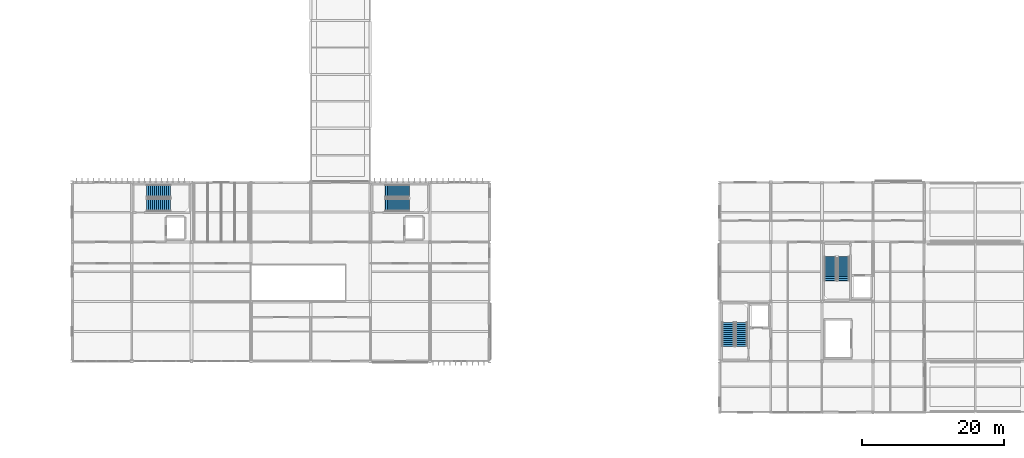
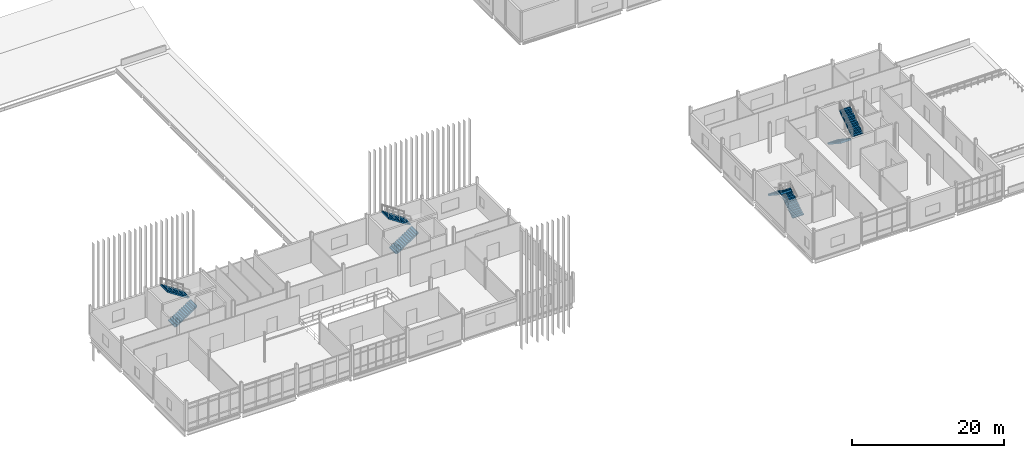
# One storey, part 55 of 72: 8 stair flights, 4 elements without a shape of their own.
"""IFC4 building model written with IfcOpenShell, lengths in metres."""

from ifc_helpers import new_model, si_unit, direction, frame, origin, place, context, subcontext, project, spatial, polyline, outline, extrude, material, type_object, element, aggregate, save


model = new_model("IFC4")

# Units and contexts
model_context = context("Model", 3, precision=1e-05, world=origin(), true_north=direction((0.0, 1.0)))
body_context = subcontext(model_context, "Body", "Model", "MODEL_VIEW")
ifc_project = project(units=[si_unit("LENGTHUNIT", "METRE"), si_unit("AREAUNIT", "SQUARE_METRE"), si_unit("VOLUMEUNIT", "CUBIC_METRE"), si_unit("PLANEANGLEUNIT", "RADIAN"), si_unit("MASSUNIT", "GRAM", prefix="KILO")], contexts=[model_context])

# Site, building, storey
site_placement = place(None, origin())
site = spatial("IfcSite", under=ifc_project, at=site_placement, CompositionType="ELEMENT")
building_placement = place(site_placement, origin())
building = spatial("IfcBuilding", under=site, at=building_placement, Name="Calvrana Isthmian Art Gallery", CompositionType="ELEMENT")
storey_placement = place(building_placement, frame((0.0, 0.0, 15.0)))
storey = spatial("IfcBuildingStorey", under=building, at=storey_placement, Name="L03", CompositionType="ELEMENT", Elevation=15.0)

# Stair, stair flights
ifc_material = material(Name="Concrete C40/50", Category="concrete")
stair_type_1 = type_object("IfcStairType", Name="STR-HT-480", PredefinedType="HALF_TURN_STAIR", material=ifc_material)
stair_1_placement = place(storey_placement, origin())
stair_1 = element("IfcStair", 1, at=stair_1_placement, inside=storey, type_object=stair_type_1, Name="Protected exit stair ST-3 (L03)", PredefinedType="HALF_TURN_STAIR")
stair_flight_type_1 = type_object("IfcStairFlightType", Name="STF-1660", PredefinedType="STRAIGHT", material=ifc_material)
stair_flight_1_placement = place(storey_placement, frame((115.860107421875, 23.699951171875, 0.0), z_axis=(0.0, 0.0, 1.0), x_axis=(0.0, 1.0, 0.0)))
stair_flight_1 = element("IfcStairFlight", 2, at=stair_flight_1_placement, type_object=stair_flight_type_1, Name="ST-3 flight 1", NumberOfRisers=13, NumberOfTreads=12, PredefinedType="STRAIGHT", RiserHeight=0.184615385, TreadLength=0.28, context=body_context, shape_type="SweptSolid", body=[
    extrude(outline(polyline([(-0.02490234375, 0.0), (-0.02490234375, 0.06005859375), (0.0, 0.06005859375), (0.0, 0.1845703125), (0.280029296875, 0.1845703125), (0.280029296875, 0.369140625), (0.56005859375, 0.369140625), (0.56005859375, 0.553955078125), (0.840087890625, 0.553955078125), (0.840087890625, 0.738525390625), (1.1201171875, 0.738525390625), (1.1201171875, 0.923095703125), (1.39990234375, 0.923095703125), (1.39990234375, 1.107666015625), (1.679931640625, 1.107666015625), (1.679931640625, 1.292236328125), (1.9599609375, 1.292236328125), (1.9599609375, 1.476806640625), (2.239990234375, 1.476806640625), (2.239990234375, 1.66162109375), (2.52001953125, 1.66162109375), (2.52001953125, 1.84619140625), (2.800048828125, 1.84619140625), (2.800048828125, 2.03076171875), (3.080078125, 2.03076171875), (3.080078125, 2.21533203125), (3.360107421875, 2.21533203125), (3.360107421875, 2.39990234375), (3.385009765625, 2.39990234375), (3.385009765625, 2.035888671875), (3.360107421875, 2.035888671875), (0.272216796875, 0.0), (-0.02490234375, 0.0)])), frame((0.0, 0.830078125, 0.0), z_axis=(0.0, -1.0, 0.0), x_axis=(1.0, 0.0, 0.0)), (0.0, 0.0, 1.0), 1.659912109375),
])
stair_flight_2_placement = place(storey_placement, frame((114.0, 27.06005859375, 2.39990234375), z_axis=(0.0, 0.0, 1.0), x_axis=(0.0, -1.0, 0.0)))
stair_flight_2 = element("IfcStairFlight", 3, at=stair_flight_2_placement, type_object=stair_flight_type_1, Name="ST-3 flight 2", NumberOfRisers=13, NumberOfTreads=12, PredefinedType="STRAIGHT", RiserHeight=0.184615385, TreadLength=0.28, context=body_context, shape_type="SweptSolid", body=[
    extrude(outline(polyline([(-0.02490234375, 0.0), (-0.02490234375, 0.06005859375), (0.0, 0.06005859375), (0.0, 0.1845703125), (0.280029296875, 0.1845703125), (0.280029296875, 0.369140625), (0.56005859375, 0.369140625), (0.56005859375, 0.553955078125), (0.840087890625, 0.553955078125), (0.840087890625, 0.738525390625), (1.1201171875, 0.738525390625), (1.1201171875, 0.923095703125), (1.39990234375, 0.923095703125), (1.39990234375, 1.107666015625), (1.679931640625, 1.107666015625), (1.679931640625, 1.292236328125), (1.9599609375, 1.292236328125), (1.9599609375, 1.476806640625), (2.239990234375, 1.476806640625), (2.239990234375, 1.66162109375), (2.52001953125, 1.66162109375), (2.52001953125, 1.84619140625), (2.800048828125, 1.84619140625), (2.800048828125, 2.03076171875), (3.080078125, 2.03076171875), (3.080078125, 2.21533203125), (3.360107421875, 2.21533203125), (3.360107421875, 2.39990234375), (3.385009765625, 2.39990234375), (3.385009765625, 2.035888671875), (3.360107421875, 2.035888671875), (0.272216796875, 0.0), (-0.02490234375, 0.0)])), frame((0.0, 0.830078125, 0.0), z_axis=(0.0, -1.0, 0.0), x_axis=(1.0, 0.0, 0.0)), (0.0, 0.0, 1.0), 1.659912109375),
])
aggregate(stair_1, [stair_flight_1, stair_flight_2])

stair_2_placement = place(storey_placement, origin())
stair_2 = element("IfcStair", 4, at=stair_2_placement, inside=storey, type_object=stair_type_1, Name="Protected exit stair ST-4 (L03)", PredefinedType="HALF_TURN_STAIR")
stair_flight_3_placement = place(storey_placement, frame((128.3798828125, 36.300048828125, 0.0), z_axis=(0.0, 0.0, 1.0), x_axis=(0.0, -1.0, 0.0)))
stair_flight_3 = element("IfcStairFlight", 5, at=stair_flight_3_placement, type_object=stair_flight_type_1, Name="ST-4 flight 1", NumberOfRisers=13, NumberOfTreads=12, PredefinedType="STRAIGHT", RiserHeight=0.184615385, TreadLength=0.28, context=body_context, shape_type="SweptSolid", body=[
    extrude(outline(polyline([(-0.02490234375, 0.0), (-0.02490234375, 0.06005859375), (0.0, 0.06005859375), (0.0, 0.1845703125), (0.280029296875, 0.1845703125), (0.280029296875, 0.369140625), (0.56005859375, 0.369140625), (0.56005859375, 0.553955078125), (0.840087890625, 0.553955078125), (0.840087890625, 0.738525390625), (1.1201171875, 0.738525390625), (1.1201171875, 0.923095703125), (1.39990234375, 0.923095703125), (1.39990234375, 1.107666015625), (1.679931640625, 1.107666015625), (1.679931640625, 1.292236328125), (1.9599609375, 1.292236328125), (1.9599609375, 1.476806640625), (2.239990234375, 1.476806640625), (2.239990234375, 1.66162109375), (2.52001953125, 1.66162109375), (2.52001953125, 1.84619140625), (2.800048828125, 1.84619140625), (2.800048828125, 2.03076171875), (3.080078125, 2.03076171875), (3.080078125, 2.21533203125), (3.360107421875, 2.21533203125), (3.360107421875, 2.39990234375), (3.385009765625, 2.39990234375), (3.385009765625, 2.035888671875), (3.360107421875, 2.035888671875), (0.272216796875, 0.0), (-0.02490234375, 0.0)])), frame((0.0, 0.830078125, 0.0), z_axis=(0.0, -1.0, 0.0), x_axis=(1.0, 0.0, 0.0)), (0.0, 0.0, 1.0), 1.659912109375),
])
stair_flight_4_placement = place(storey_placement, frame((130.239990234375, 32.93994140625, 2.39990234375), z_axis=(0.0, 0.0, 1.0), x_axis=(0.0, 1.0, 0.0)))
stair_flight_4 = element("IfcStairFlight", 6, at=stair_flight_4_placement, type_object=stair_flight_type_1, Name="ST-4 flight 2", NumberOfRisers=13, NumberOfTreads=12, PredefinedType="STRAIGHT", RiserHeight=0.184615385, TreadLength=0.28, context=body_context, shape_type="SweptSolid", body=[
    extrude(outline(polyline([(-0.02490234375, 0.0), (-0.02490234375, 0.06005859375), (0.0, 0.06005859375), (0.0, 0.1845703125), (0.280029296875, 0.1845703125), (0.280029296875, 0.369140625), (0.56005859375, 0.369140625), (0.56005859375, 0.553955078125), (0.840087890625, 0.553955078125), (0.840087890625, 0.738525390625), (1.1201171875, 0.738525390625), (1.1201171875, 0.923095703125), (1.39990234375, 0.923095703125), (1.39990234375, 1.107666015625), (1.679931640625, 1.107666015625), (1.679931640625, 1.292236328125), (1.9599609375, 1.292236328125), (1.9599609375, 1.476806640625), (2.239990234375, 1.476806640625), (2.239990234375, 1.66162109375), (2.52001953125, 1.66162109375), (2.52001953125, 1.84619140625), (2.800048828125, 1.84619140625), (2.800048828125, 2.03076171875), (3.080078125, 2.03076171875), (3.080078125, 2.21533203125), (3.360107421875, 2.21533203125), (3.360107421875, 2.39990234375), (3.385009765625, 2.39990234375), (3.385009765625, 2.035888671875), (3.360107421875, 2.035888671875), (0.272216796875, 0.0), (-0.02490234375, 0.0)])), frame((0.0, 0.830078125, 0.0), z_axis=(0.0, -1.0, 0.0), x_axis=(1.0, 0.0, 0.0)), (0.0, 0.0, 1.0), 1.659912109375),
])
aggregate(stair_2, [stair_flight_3, stair_flight_4])

stair_type_2 = type_object("IfcStairType", Name="STR-HT-480W", PredefinedType="HALF_TURN_STAIR", material=ifc_material)
stair_3_placement = place(storey_placement, origin())
stair_3 = element("IfcStair", 7, at=stair_3_placement, inside=storey, type_object=stair_type_2, Name="Protected exit stair ST-1 (L03)", PredefinedType="HALF_TURN_STAIR")
stair_flight_type_2 = type_object("IfcStairFlightType", Name="STF-1760", PredefinedType="STRAIGHT", material=ifc_material)
stair_flight_5_placement = place(storey_placement, frame((32.10009765625, 43.590087890625, 0.0), z_axis=(0.0, 0.0, 1.0), x_axis=(1.0, 0.0, 0.0)))
stair_flight_5 = element("IfcStairFlight", 8, at=stair_flight_5_placement, type_object=stair_flight_type_2, Name="ST-1 flight 1", NumberOfRisers=13, NumberOfTreads=12, PredefinedType="STRAIGHT", RiserHeight=0.184615385, TreadLength=0.28, context=body_context, shape_type="SweptSolid", body=[
    extrude(outline(polyline([(-0.02490234375, 0.0), (-0.02490234375, 0.06005859375), (0.0, 0.06005859375), (0.0, 0.1845703125), (0.280029296875, 0.1845703125), (0.280029296875, 0.369140625), (0.56005859375, 0.369140625), (0.56005859375, 0.553955078125), (0.840087890625, 0.553955078125), (0.840087890625, 0.738525390625), (1.1201171875, 0.738525390625), (1.1201171875, 0.923095703125), (1.39990234375, 0.923095703125), (1.39990234375, 1.107666015625), (1.679931640625, 1.107666015625), (1.679931640625, 1.292236328125), (1.9599609375, 1.292236328125), (1.9599609375, 1.476806640625), (2.239990234375, 1.476806640625), (2.239990234375, 1.66162109375), (2.52001953125, 1.66162109375), (2.52001953125, 1.84619140625), (2.800048828125, 1.84619140625), (2.800048828125, 2.03076171875), (3.080078125, 2.03076171875), (3.080078125, 2.21533203125), (3.360107421875, 2.21533203125), (3.360107421875, 2.39990234375), (3.385009765625, 2.39990234375), (3.385009765625, 2.035888671875), (3.360107421875, 2.035888671875), (0.272216796875, 0.0), (-0.02490234375, 0.0)])), frame((0.0, 0.8798828125, 0.0), z_axis=(0.0, -1.0, 0.0), x_axis=(1.0, 0.0, 0.0)), (0.0, 0.0, 1.0), 1.760009765625),
])
stair_flight_6_placement = place(storey_placement, frame((35.4599609375, 45.550048828125, 2.39990234375), z_axis=(0.0, 0.0, 1.0), x_axis=(-1.0, 0.0, 0.0)))
stair_flight_6 = element("IfcStairFlight", 9, at=stair_flight_6_placement, type_object=stair_flight_type_2, Name="ST-1 flight 2", NumberOfRisers=13, NumberOfTreads=12, PredefinedType="STRAIGHT", RiserHeight=0.184615385, TreadLength=0.28, context=body_context, shape_type="SweptSolid", body=[
    extrude(outline(polyline([(-0.02490234375, 0.0), (-0.02490234375, 0.06005859375), (0.0, 0.06005859375), (0.0, 0.1845703125), (0.280029296875, 0.1845703125), (0.280029296875, 0.369140625), (0.56005859375, 0.369140625), (0.56005859375, 0.553955078125), (0.840087890625, 0.553955078125), (0.840087890625, 0.738525390625), (1.1201171875, 0.738525390625), (1.1201171875, 0.923095703125), (1.39990234375, 0.923095703125), (1.39990234375, 1.107666015625), (1.679931640625, 1.107666015625), (1.679931640625, 1.292236328125), (1.9599609375, 1.292236328125), (1.9599609375, 1.476806640625), (2.239990234375, 1.476806640625), (2.239990234375, 1.66162109375), (2.52001953125, 1.66162109375), (2.52001953125, 1.84619140625), (2.800048828125, 1.84619140625), (2.800048828125, 2.03076171875), (3.080078125, 2.03076171875), (3.080078125, 2.21533203125), (3.360107421875, 2.21533203125), (3.360107421875, 2.39990234375), (3.385009765625, 2.39990234375), (3.385009765625, 2.035888671875), (3.360107421875, 2.035888671875), (0.272216796875, 0.0), (-0.02490234375, 0.0)])), frame((0.0, 0.8798828125, 0.0), z_axis=(0.0, -1.0, 0.0), x_axis=(1.0, 0.0, 0.0)), (0.0, 0.0, 1.0), 1.760009765625),
])
aggregate(stair_3, [stair_flight_5, stair_flight_6])

stair_4_placement = place(storey_placement, origin())
stair_4 = element("IfcStair", 10, at=stair_4_placement, inside=storey, type_object=stair_type_2, Name="Protected exit stair ST-2 (L03)", PredefinedType="HALF_TURN_STAIR")
stair_flight_7_placement = place(storey_placement, frame((65.699951171875, 43.590087890625, 0.0), z_axis=(0.0, 0.0, 1.0), x_axis=(1.0, 0.0, 0.0)))
stair_flight_7 = element("IfcStairFlight", 11, at=stair_flight_7_placement, type_object=stair_flight_type_2, Name="ST-2 flight 1", NumberOfRisers=13, NumberOfTreads=12, PredefinedType="STRAIGHT", RiserHeight=0.184615385, TreadLength=0.28, context=body_context, shape_type="SweptSolid", body=[
    extrude(outline(polyline([(-0.02490234375, 0.0), (-0.02490234375, 0.06005859375), (0.0, 0.06005859375), (0.0, 0.1845703125), (0.280029296875, 0.1845703125), (0.280029296875, 0.369140625), (0.56005859375, 0.369140625), (0.56005859375, 0.553955078125), (0.840087890625, 0.553955078125), (0.840087890625, 0.738525390625), (1.1201171875, 0.738525390625), (1.1201171875, 0.923095703125), (1.39990234375, 0.923095703125), (1.39990234375, 1.107666015625), (1.679931640625, 1.107666015625), (1.679931640625, 1.292236328125), (1.9599609375, 1.292236328125), (1.9599609375, 1.476806640625), (2.239990234375, 1.476806640625), (2.239990234375, 1.66162109375), (2.52001953125, 1.66162109375), (2.52001953125, 1.84619140625), (2.800048828125, 1.84619140625), (2.800048828125, 2.03076171875), (3.080078125, 2.03076171875), (3.080078125, 2.21533203125), (3.360107421875, 2.21533203125), (3.360107421875, 2.39990234375), (3.385009765625, 2.39990234375), (3.385009765625, 2.035888671875), (3.360107421875, 2.035888671875), (0.272216796875, 0.0), (-0.02490234375, 0.0)])), frame((0.0, 0.8798828125, 0.0), z_axis=(0.0, -1.0, 0.0), x_axis=(1.0, 0.0, 0.0)), (0.0, 0.0, 1.0), 1.760009765625),
])
stair_flight_8_placement = place(storey_placement, frame((69.06005859375, 45.550048828125, 2.39990234375), z_axis=(0.0, 0.0, 1.0), x_axis=(-1.0, 0.0, 0.0)))
stair_flight_8 = element("IfcStairFlight", 12, at=stair_flight_8_placement, type_object=stair_flight_type_2, Name="ST-2 flight 2", NumberOfRisers=13, NumberOfTreads=12, PredefinedType="STRAIGHT", RiserHeight=0.184615385, TreadLength=0.28, context=body_context, shape_type="SweptSolid", body=[
    extrude(outline(polyline([(-0.02490234375, 0.0), (-0.02490234375, 0.06005859375), (0.0, 0.06005859375), (0.0, 0.1845703125), (0.280029296875, 0.1845703125), (0.280029296875, 0.369140625), (0.56005859375, 0.369140625), (0.56005859375, 0.553955078125), (0.840087890625, 0.553955078125), (0.840087890625, 0.738525390625), (1.1201171875, 0.738525390625), (1.1201171875, 0.923095703125), (1.39990234375, 0.923095703125), (1.39990234375, 1.107666015625), (1.679931640625, 1.107666015625), (1.679931640625, 1.292236328125), (1.9599609375, 1.292236328125), (1.9599609375, 1.476806640625), (2.239990234375, 1.476806640625), (2.239990234375, 1.66162109375), (2.52001953125, 1.66162109375), (2.52001953125, 1.84619140625), (2.800048828125, 1.84619140625), (2.800048828125, 2.03076171875), (3.080078125, 2.03076171875), (3.080078125, 2.21533203125), (3.360107421875, 2.21533203125), (3.360107421875, 2.39990234375), (3.385009765625, 2.39990234375), (3.385009765625, 2.035888671875), (3.360107421875, 2.035888671875), (0.272216796875, 0.0), (-0.02490234375, 0.0)])), frame((0.0, 0.8798828125, 0.0), z_axis=(0.0, -1.0, 0.0), x_axis=(1.0, 0.0, 0.0)), (0.0, 0.0, 1.0), 1.760009765625),
])
aggregate(stair_4, [stair_flight_7, stair_flight_8])

save(model, "model.ifc")
